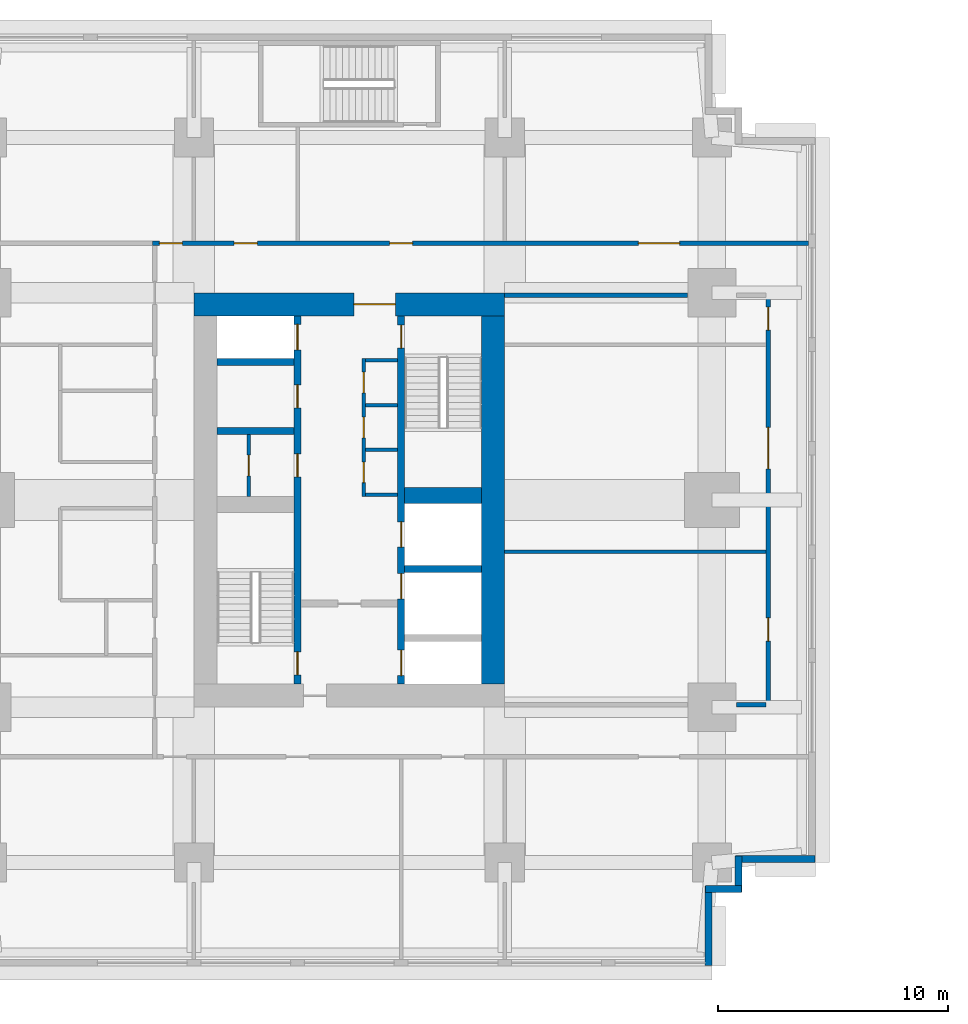
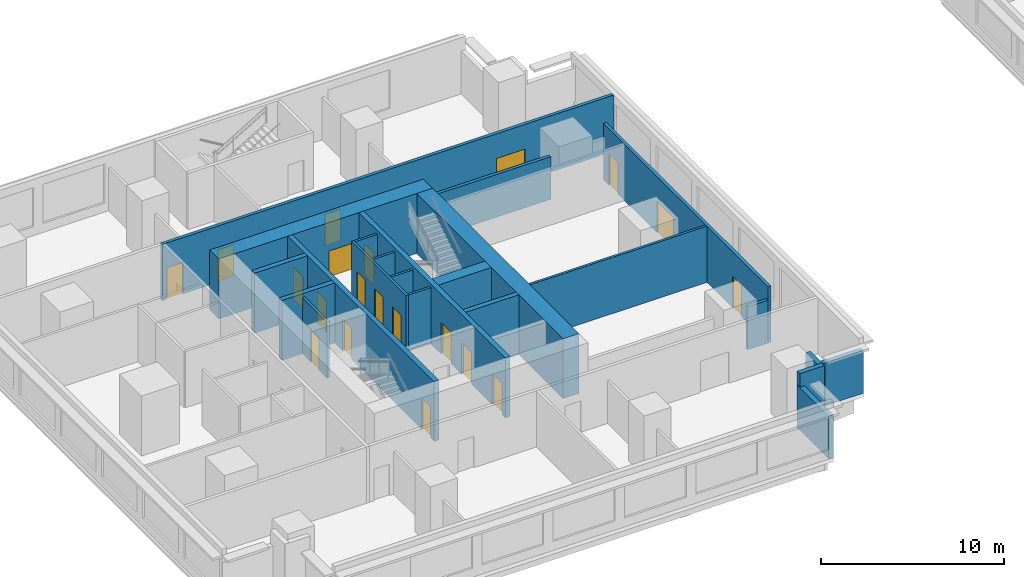
# One storey, part 4 of 10: 23 walls, 20 doors, 20 openings.
"""IFC4 building model written with IfcOpenShell, lengths in metres."""

from ifc_helpers import new_model, si_unit, direction, frame, frame_2d, origin, place, context, subcontext, project, spatial, rectangle, extrude, material, layer, layer_set, type_object, element, fill, save


model = new_model("IFC4")

# Units and contexts
model_context = context("Model", 3, precision=1e-05, world=origin(), true_north=direction((0.0, 1.0)))
body_context = subcontext(model_context, "Body", "Model", "MODEL_VIEW")
ifc_project = project(units=[si_unit("LENGTHUNIT", "METRE"), si_unit("AREAUNIT", "SQUARE_METRE"), si_unit("VOLUMEUNIT", "CUBIC_METRE"), si_unit("PLANEANGLEUNIT", "RADIAN"), si_unit("MASSUNIT", "GRAM", prefix="KILO")], contexts=[model_context])

# Site, building, storey
site_placement = place(None, origin())
site = spatial("IfcSite", under=ifc_project, at=site_placement, CompositionType="ELEMENT")
building_placement = place(site_placement, origin())
building = spatial("IfcBuilding", under=site, at=building_placement, Name="Namib Vertical Campus", CompositionType="ELEMENT")
storey_placement = place(building_placement, frame((0.0, 0.0, 141.0)))
storey = spatial("IfcBuildingStorey", under=building, at=storey_placement, Name="L33", CompositionType="ELEMENT", Elevation=141.0)

# Wall, openings, doors
ifc_material_1 = material(Name="Concrete C60/75", Category="concrete")
ifc_layer_1 = layer(ifc_material_1, 0.300048828125)
ifc_layer_set_1 = layer_set([ifc_layer_1], Name="Concrete C60/75")
wall_type_1 = type_object("IfcWallType", Name="Core inner wall 300", PredefinedType="SHEAR", material=ifc_layer_set_1)
wall_1_placement = place(storey_placement, frame((18.0, 12.25, 0.0), z_axis=(0.0, 0.0, 1.0), x_axis=(0.0, 1.0, 0.0)))
wall_1 = element("IfcWall", 1, at=wall_1_placement, inside=storey, type_object=wall_type_1, Name="Core inner wall A L33 W1", PredefinedType="SHEAR", context=body_context, shape_type="SweptSolid", body=[
    extrude(rectangle(XDim=16.0, YDim=0.300048828125, at=frame_2d((8.0, 0.0))), origin(), (0.0, 0.0, 1.0), 4.0),
])
opening_1_placement = place(wall_1_placement, frame((0.39990234375, 0.0, 0.0)))
opening_1 = element("IfcOpeningElement", 2, at=opening_1_placement, cuts=wall_1, Name="Opening FD1", PredefinedType="OPENING", context=body_context, shape_type="SweptSolid", body=[
    extrude(rectangle(XDim=1.0, YDim=2.10009765625, at=frame_2d((0.5, 1.050048828125))), frame((0.0, 0.159912109375, 0.0), z_axis=(0.0, -1.0, 0.0), x_axis=(1.0, 0.0, 0.0)), (0.0, 0.0, 1.0), 0.320068359375),
])
opening_2_placement = place(wall_1_placement, frame((14.52490234375, 0.0, 0.0)))
opening_2 = element("IfcOpeningElement", 3, at=opening_2_placement, cuts=wall_1, Name="Opening LD1", PredefinedType="OPENING", context=body_context, shape_type="SweptSolid", body=[
    extrude(rectangle(XDim=1.10009765625, YDim=2.10009765625, at=frame_2d((0.550048828125, 1.050048828125))), frame((0.0, 0.159912109375, 0.0), z_axis=(0.0, -1.0, 0.0), x_axis=(1.0, 0.0, 0.0)), (0.0, 0.0, 1.0), 0.320068359375),
])
opening_3_placement = place(wall_1_placement, frame((9.0, 0.0, 0.0)))
opening_3 = element("IfcOpeningElement", 4, at=opening_3_placement, cuts=wall_1, Name="Opening D1", PredefinedType="OPENING", context=body_context, shape_type="SweptSolid", body=[
    extrude(rectangle(XDim=1.0, YDim=2.10009765625, at=frame_2d((0.5, 1.050048828125))), frame((0.0, 0.159912109375, 0.0), z_axis=(0.0, -1.0, 0.0), x_axis=(1.0, 0.0, 0.0)), (0.0, 0.0, 1.0), 0.320068359375),
])
opening_4_placement = place(wall_1_placement, frame((12.0, 0.0, 0.0)))
opening_4 = element("IfcOpeningElement", 5, at=opening_4_placement, cuts=wall_1, Name="Opening D1", PredefinedType="OPENING", context=body_context, shape_type="SweptSolid", body=[
    extrude(rectangle(XDim=1.0, YDim=2.10009765625, at=frame_2d((0.5, 1.050048828125))), frame((0.0, 0.159912109375, 0.0), z_axis=(0.0, -1.0, 0.0), x_axis=(1.0, 0.0, 0.0)), (0.0, 0.0, 1.0), 0.320068359375),
])
ifc_material_2 = material(Name="Timber door leaf", Category="wood")
door_type_1 = type_object("IfcDoorType", Name="Door single 1000x2100", OperationType="SINGLE_SWING_LEFT", PredefinedType="DOOR", material=ifc_material_2)
door_1_placement = place(opening_3_placement, origin())
door_1 = element("IfcDoor", 6, at=door_1_placement, inside=storey, type_object=door_type_1, Name="Door D1 Records store A L33 P1", OperationType="SINGLE_SWING_LEFT", OverallHeight=2.10009765625, OverallWidth=1.0, PredefinedType="DOOR", context=body_context, shape_type="SweptSolid", body=[
    extrude(rectangle(XDim=1.0, YDim=2.10009765625, at=frame_2d((0.5, 1.050048828125))), frame((0.0, 0.02490234375, 0.0), z_axis=(0.0, -1.0, 0.0), x_axis=(1.0, 0.0, 0.0)), (0.0, 0.0, 1.0), 0.050048828125),
])
fill(opening_3, door_1)
door_2_placement = place(opening_4_placement, origin())
door_2 = element("IfcDoor", 7, at=door_2_placement, inside=storey, type_object=door_type_1, Name="Door D1 Staff pantry A L33 P2", OperationType="SINGLE_SWING_LEFT", OverallHeight=2.10009765625, OverallWidth=1.0, PredefinedType="DOOR", context=body_context, shape_type="SweptSolid", body=[
    extrude(rectangle(XDim=1.0, YDim=2.10009765625, at=frame_2d((0.5, 1.050048828125))), frame((0.0, 0.02490234375, 0.0), z_axis=(0.0, -1.0, 0.0), x_axis=(1.0, 0.0, 0.0)), (0.0, 0.0, 1.0), 0.050048828125),
])
fill(opening_4, door_2)
ifc_material_3 = material(Name="Steel fire door", Category="steel")
door_type_2 = type_object("IfcDoorType", Name="Fire door 1000x2100", OperationType="SINGLE_SWING_RIGHT", PredefinedType="DOOR", material=ifc_material_3)
door_3_placement = place(opening_1_placement, origin())
door_3 = element("IfcDoor", 8, at=door_3_placement, inside=storey, type_object=door_type_2, Name="Stair door FD1 A L33 S1", OperationType="SINGLE_SWING_LEFT", OverallHeight=2.10009765625, OverallWidth=1.0, PredefinedType="DOOR", context=body_context, shape_type="SweptSolid", body=[
    extrude(rectangle(XDim=1.0, YDim=2.10009765625, at=frame_2d((0.5, 1.050048828125))), frame((0.0, 0.02490234375, 0.0), z_axis=(0.0, -1.0, 0.0), x_axis=(1.0, 0.0, 0.0)), (0.0, 0.0, 1.0), 0.050048828125),
])
fill(opening_1, door_3)
ifc_material_4 = material(Name="Stainless steel lift door", Category="steel")
door_type_3 = type_object("IfcDoorType", Name="Lift landing door 1100x2100", OperationType="DOUBLE_DOOR_SLIDING", PredefinedType="DOOR", material=ifc_material_4)
door_4_placement = place(opening_2_placement, origin())
door_4 = element("IfcDoor", 9, at=door_4_placement, inside=storey, type_object=door_type_3, Name="Lift landing door LD1 A-P3 L33", OperationType="DOUBLE_DOOR_SLIDING", OverallHeight=2.10009765625, OverallWidth=1.10009765625, PredefinedType="DOOR", context=body_context, shape_type="SweptSolid", body=[
    extrude(rectangle(XDim=1.10009765625, YDim=2.10009765625, at=frame_2d((0.550048828125, 1.050048828125))), frame((0.0, 0.02490234375, 0.0), z_axis=(0.0, -1.0, 0.0), x_axis=(1.0, 0.0, 0.0)), (0.0, 0.0, 1.0), 0.050048828125),
])
fill(opening_2, door_4)

wall_2_placement = place(storey_placement, frame((22.5, 12.25, 0.0), z_axis=(0.0, 0.0, 1.0), x_axis=(0.0, 1.0, 0.0)))
wall_2 = element("IfcWall", 10, at=wall_2_placement, inside=storey, type_object=wall_type_1, Name="Core inner wall A L33 W2", PredefinedType="SHEAR", context=body_context, shape_type="SweptSolid", body=[
    extrude(rectangle(XDim=16.0, YDim=0.300048828125, at=frame_2d((8.0, 0.0))), origin(), (0.0, 0.0, 1.0), 4.0),
])
opening_5_placement = place(wall_2_placement, frame((14.60009765625, 0.0, 0.0)))
opening_5 = element("IfcOpeningElement", 11, at=opening_5_placement, cuts=wall_2, Name="Opening FD1", PredefinedType="OPENING", context=body_context, shape_type="SweptSolid", body=[
    extrude(rectangle(XDim=1.0, YDim=2.10009765625, at=frame_2d((0.5, 1.050048828125))), frame((0.0, 0.159912109375, 0.0), z_axis=(0.0, -1.0, 0.0), x_axis=(1.0, 0.0, 0.0)), (0.0, 0.0, 1.0), 0.320068359375),
])
opening_6_placement = place(wall_2_placement, frame((0.375, 0.0, 0.0)))
opening_6 = element("IfcOpeningElement", 12, at=opening_6_placement, cuts=wall_2, Name="Opening LD1", PredefinedType="OPENING", context=body_context, shape_type="SweptSolid", body=[
    extrude(rectangle(XDim=1.10009765625, YDim=2.10009765625, at=frame_2d((0.550048828125, 1.050048828125))), frame((0.0, 0.159912109375, 0.0), z_axis=(0.0, -1.0, 0.0), x_axis=(1.0, 0.0, 0.0)), (0.0, 0.0, 1.0), 0.320068359375),
])
opening_7_placement = place(wall_2_placement, frame((3.699951171875, 0.0, 0.0)))
opening_7 = element("IfcOpeningElement", 13, at=opening_7_placement, cuts=wall_2, Name="Opening LD1", PredefinedType="OPENING", context=body_context, shape_type="SweptSolid", body=[
    extrude(rectangle(XDim=1.10009765625, YDim=2.10009765625, at=frame_2d((0.550048828125, 1.050048828125))), frame((0.0, 0.159912109375, 0.0), z_axis=(0.0, -1.0, 0.0), x_axis=(1.0, 0.0, 0.0)), (0.0, 0.0, 1.0), 0.320068359375),
])
opening_8_placement = place(wall_2_placement, frame((5.949951171875, 0.0, 0.0)))
opening_8 = element("IfcOpeningElement", 14, at=opening_8_placement, cuts=wall_2, Name="Opening LD1", PredefinedType="OPENING", context=body_context, shape_type="SweptSolid", body=[
    extrude(rectangle(XDim=1.10009765625, YDim=2.10009765625, at=frame_2d((0.550048828125, 1.050048828125))), frame((0.0, 0.159912109375, 0.0), z_axis=(0.0, -1.0, 0.0), x_axis=(1.0, 0.0, 0.0)), (0.0, 0.0, 1.0), 0.320068359375),
])
door_5_placement = place(opening_5_placement, frame((1.0, 0.0, 0.0), z_axis=(0.0, 0.0, 1.0), x_axis=(-1.0, 0.0, 0.0)))
door_5 = element("IfcDoor", 15, at=door_5_placement, inside=storey, type_object=door_type_2, Name="Stair door FD1 A L33 S2", OperationType="SINGLE_SWING_LEFT", OverallHeight=2.10009765625, OverallWidth=1.0, PredefinedType="DOOR", context=body_context, shape_type="SweptSolid", body=[
    extrude(rectangle(XDim=1.0, YDim=2.10009765625, at=frame_2d((0.5, 1.050048828125))), frame((0.0, 0.02490234375, 0.0), z_axis=(0.0, -1.0, 0.0), x_axis=(1.0, 0.0, 0.0)), (0.0, 0.0, 1.0), 0.050048828125),
])
fill(opening_5, door_5)
door_6_placement = place(opening_6_placement, origin())
door_6 = element("IfcDoor", 16, at=door_6_placement, inside=storey, type_object=door_type_3, Name="Lift landing door LD1 A-FL1 L33", OperationType="DOUBLE_DOOR_SLIDING", OverallHeight=2.10009765625, OverallWidth=1.10009765625, PredefinedType="DOOR", context=body_context, shape_type="SweptSolid", body=[
    extrude(rectangle(XDim=1.10009765625, YDim=2.10009765625, at=frame_2d((0.550048828125, 1.050048828125))), frame((0.0, 0.02490234375, 0.0), z_axis=(0.0, -1.0, 0.0), x_axis=(1.0, 0.0, 0.0)), (0.0, 0.0, 1.0), 0.050048828125),
])
fill(opening_6, door_6)
door_7_placement = place(opening_7_placement, origin())
door_7 = element("IfcDoor", 17, at=door_7_placement, inside=storey, type_object=door_type_3, Name="Lift landing door LD1 A-P4 L33", OperationType="DOUBLE_DOOR_SLIDING", OverallHeight=2.10009765625, OverallWidth=1.10009765625, PredefinedType="DOOR", context=body_context, shape_type="SweptSolid", body=[
    extrude(rectangle(XDim=1.10009765625, YDim=2.10009765625, at=frame_2d((0.550048828125, 1.050048828125))), frame((0.0, 0.02490234375, 0.0), z_axis=(0.0, -1.0, 0.0), x_axis=(1.0, 0.0, 0.0)), (0.0, 0.0, 1.0), 0.050048828125),
])
fill(opening_7, door_7)
door_8_placement = place(opening_8_placement, origin())
door_8 = element("IfcDoor", 18, at=door_8_placement, inside=storey, type_object=door_type_3, Name="Lift landing door LD1 A-P5 L33", OperationType="DOUBLE_DOOR_SLIDING", OverallHeight=2.10009765625, OverallWidth=1.10009765625, PredefinedType="DOOR", context=body_context, shape_type="SweptSolid", body=[
    extrude(rectangle(XDim=1.10009765625, YDim=2.10009765625, at=frame_2d((0.550048828125, 1.050048828125))), frame((0.0, 0.02490234375, 0.0), z_axis=(0.0, -1.0, 0.0), x_axis=(1.0, 0.0, 0.0)), (0.0, 0.0, 1.0), 0.050048828125),
])
fill(opening_8, door_8)

# Walls
for number, where, z_axis, x_axis, name in (
    (19, (22.64990234375, 17.25, 0.0), (0.0, 0.0, 1.0), (1.0, 0.0, 0.0), "Core inner wall A L33 W6"),
    (20, (14.5, 23.25, 0.0), (0.0, 0.0, 1.0), (1.0, 0.0, 0.0), "Core inner wall A L33 W8"),
    (21, (14.5, 26.25, 0.0), (0.0, 0.0, 1.0), (1.0, 0.0, 0.0), "Core inner wall A L33 W9"),
):
    element("IfcWall", number, at=place(storey_placement, frame(where, z_axis=z_axis, x_axis=x_axis)), inside=storey, type_object=wall_type_1, Name=name, PredefinedType="SHEAR", context=body_context, shape_type="SweptSolid", body=[
        extrude(rectangle(XDim=3.35009765625, YDim=0.300048828125, at=frame_2d((1.675048828125, 0.0))), origin(), (0.0, 0.0, 1.0), 4.0),
    ])
ifc_material_5 = material(Name="Concrete C60/75", Category="concrete")
ifc_layer_2 = layer(ifc_material_5, 0.699951171875)
ifc_layer_set_2 = layer_set([ifc_layer_2], Name="Concrete C60/75")
wall_type_2 = type_object("IfcWallType", Name="Core shear wall 700", PredefinedType="SHEAR", material=ifc_layer_set_2)
wall_3_placement = place(storey_placement, frame((22.64990234375, 20.449951171875, 0.0), z_axis=(0.0, 0.0, 1.0), x_axis=(1.0, 0.0, 0.0)))
element("IfcWall", 22, at=wall_3_placement, inside=storey, type_object=wall_type_2, Name="Core shear wall A L33 W7", PredefinedType="SHEAR", context=body_context, shape_type="SweptSolid", body=[
    extrude(rectangle(XDim=3.35009765625, YDim=0.699951171875, at=frame_2d((1.675048828125, 0.0))), origin(), (0.0, 0.0, 1.0), 4.0),
])
ifc_material_6 = material(Name="Concrete C60/75", Category="concrete")
ifc_layer_3 = layer(ifc_material_6, 1.0)
ifc_layer_set_3 = layer_set([ifc_layer_3], Name="Concrete C60/75")
wall_type_3 = type_object("IfcWallType", Name="Core wall 1000", PredefinedType="SHEAR", material=ifc_layer_set_3)
wall_4_placement = place(storey_placement, frame((26.5, 12.25, 0.0), z_axis=(0.0, 0.0, 1.0), x_axis=(0.0, 1.0, 0.0)))
element("IfcWall", 23, at=wall_4_placement, inside=storey, type_object=wall_type_3, Name="Core wall A L33 2", PredefinedType="SHEAR", context=body_context, shape_type="SweptSolid", body=[
    extrude(rectangle(XDim=16.0, YDim=1.0, at=frame_2d((8.0, 0.0))), origin(), (0.0, 0.0, 1.0), 4.0),
])

# Wall, opening, door
wall_5_placement = place(storey_placement, frame((27.0, 28.75, 0.0), z_axis=(0.0, 0.0, 1.0), x_axis=(-1.0, 0.0, 0.0)))
wall_5 = element("IfcWall", 24, at=wall_5_placement, inside=storey, type_object=wall_type_3, Name="Core wall A L33 3", PredefinedType="SHEAR", context=body_context, shape_type="SweptSolid", body=[
    extrude(rectangle(XDim=13.5, YDim=1.0, at=frame_2d((6.75, 0.0))), origin(), (0.0, 0.0, 1.0), 4.0),
])
opening_9_placement = place(wall_5_placement, frame((4.75, 0.0, 0.0)))
opening_9 = element("IfcOpeningElement", 25, at=opening_9_placement, cuts=wall_5, Name="Opening FD2", PredefinedType="OPENING", context=body_context, shape_type="SweptSolid", body=[
    extrude(rectangle(XDim=1.800048828125, YDim=2.10009765625, at=frame_2d((0.89990234375, 1.050048828125))), frame((0.0, 0.510009765625, 0.0), z_axis=(0.0, -1.0, 0.0), x_axis=(1.0, 0.0, 0.0)), (0.0, 0.0, 1.0), 1.02001953125),
])
ifc_material_7 = material(Name="Steel fire door", Category="steel")
door_type_4 = type_object("IfcDoorType", Name="Fire door double 1800x2100", OperationType="DOUBLE_DOOR_SINGLE_SWING", PredefinedType="DOOR", material=ifc_material_7)
door_9_placement = place(opening_9_placement, origin())
door_9 = element("IfcDoor", 26, at=door_9_placement, inside=storey, type_object=door_type_4, Name="Lift lobby door FD2 A L33", OperationType="DOUBLE_DOOR_SINGLE_SWING", OverallHeight=2.10009765625, OverallWidth=1.800048828125, PredefinedType="DOOR", context=body_context, shape_type="SweptSolid", body=[
    extrude(rectangle(XDim=1.800048828125, YDim=2.10009765625, at=frame_2d((0.89990234375, 1.050048828125))), frame((0.0, 0.02490234375, 0.0), z_axis=(0.0, -1.0, 0.0), x_axis=(1.0, 0.0, 0.0)), (0.0, 0.0, 1.0), 0.050048828125),
])
fill(opening_9, door_9)

# Wall, openings, doors
ifc_material_8 = material(Name="Concrete masonry", Category="masonry")
ifc_layer_4 = layer(ifc_material_8, 0.199951171875)
ifc_layer_set_4 = layer_set([ifc_layer_4], Name="Corridor wall 200")
wall_type_4 = type_object("IfcWallType", Name="Corridor wall 200", PredefinedType="SOLIDWALL", material=ifc_layer_set_4)
wall_6_placement = place(storey_placement, frame((40.199951171875, 31.39990234375, 0.0), z_axis=(0.0, 0.0, 1.0), x_axis=(-1.0, 0.0, 0.0)))
wall_6 = element("IfcWall", 27, at=wall_6_placement, inside=storey, type_object=wall_type_4, Name="Corridor wall A L33 CN", PredefinedType="SOLIDWALL", context=body_context, shape_type="SweptSolid", body=[
    extrude(rectangle(XDim=28.5, YDim=0.199951171875, at=frame_2d((14.25, 0.0))), origin(), (0.0, 0.0, 1.0), 3.75),
])
opening_10_placement = place(wall_6_placement, frame((27.199951171875, 0.0, 0.0)))
opening_10 = element("IfcOpeningElement", 28, at=opening_10_placement, cuts=wall_6, Name="Opening CD1", PredefinedType="OPENING", context=body_context, shape_type="SweptSolid", body=[
    extrude(rectangle(XDim=1.0, YDim=2.10009765625, at=frame_2d((0.5, 1.050048828125))), frame((0.0, 0.10986328125, 0.0), z_axis=(0.0, -1.0, 0.0), x_axis=(1.0, 0.0, 0.0)), (0.0, 0.0, 1.0), 0.219970703125),
])
opening_11_placement = place(wall_6_placement, frame((23.949951171875, 0.0, 0.0)))
opening_11 = element("IfcOpeningElement", 29, at=opening_11_placement, cuts=wall_6, Name="Opening CD1", PredefinedType="OPENING", context=body_context, shape_type="SweptSolid", body=[
    extrude(rectangle(XDim=1.0, YDim=2.10009765625, at=frame_2d((0.5, 1.050048828125))), frame((0.0, 0.10986328125, 0.0), z_axis=(0.0, -1.0, 0.0), x_axis=(1.0, 0.0, 0.0)), (0.0, 0.0, 1.0), 0.219970703125),
])
opening_12_placement = place(wall_6_placement, frame((17.199951171875, 0.0, 0.0)))
opening_12 = element("IfcOpeningElement", 30, at=opening_12_placement, cuts=wall_6, Name="Opening CD4", PredefinedType="OPENING", context=body_context, shape_type="SweptSolid", body=[
    extrude(rectangle(XDim=1.0, YDim=2.10009765625, at=frame_2d((0.5, 1.050048828125))), frame((0.0, 0.10986328125, 0.0), z_axis=(0.0, -1.0, 0.0), x_axis=(1.0, 0.0, 0.0)), (0.0, 0.0, 1.0), 0.219970703125),
])
opening_13_placement = place(wall_6_placement, frame((5.60009765625, 0.0, 0.0)))
opening_13 = element("IfcOpeningElement", 31, at=opening_13_placement, cuts=wall_6, Name="Opening CD2", PredefinedType="OPENING", context=body_context, shape_type="SweptSolid", body=[
    extrude(rectangle(XDim=1.800048828125, YDim=2.10009765625, at=frame_2d((0.89990234375, 1.050048828125))), frame((0.0, 0.10986328125, 0.0), z_axis=(0.0, -1.0, 0.0), x_axis=(1.0, 0.0, 0.0)), (0.0, 0.0, 1.0), 0.219970703125),
])
ifc_material_9 = material(Name="Timber fire door leaf", Category="wood")
door_type_5 = type_object("IfcDoorType", Name="Corridor door 1000x2100 20 min", OperationType="SINGLE_SWING_LEFT", PredefinedType="DOOR", material=ifc_material_9)
door_10_placement = place(opening_10_placement, frame((1.0, 0.0, 0.0), z_axis=(0.0, 0.0, 1.0), x_axis=(-1.0, 0.0, 0.0)))
door_10 = element("IfcDoor", 32, at=door_10_placement, inside=storey, type_object=door_type_5, Name="Door CD1 A33-08", OperationType="SINGLE_SWING_RIGHT", OverallHeight=2.10009765625, OverallWidth=1.0, PredefinedType="DOOR", context=body_context, shape_type="SweptSolid", body=[
    extrude(rectangle(XDim=1.0, YDim=2.10009765625, at=frame_2d((0.5, 1.050048828125))), frame((0.0, 0.02490234375, 0.0), z_axis=(0.0, -1.0, 0.0), x_axis=(1.0, 0.0, 0.0)), (0.0, 0.0, 1.0), 0.050048828125),
])
fill(opening_10, door_10)
door_11_placement = place(opening_11_placement, frame((1.0, 0.0, 0.0), z_axis=(0.0, 0.0, 1.0), x_axis=(-1.0, 0.0, 0.0)))
door_11 = element("IfcDoor", 33, at=door_11_placement, inside=storey, type_object=door_type_5, Name="Door CD1 A33-09", OperationType="SINGLE_SWING_RIGHT", OverallHeight=2.10009765625, OverallWidth=1.0, PredefinedType="DOOR", context=body_context, shape_type="SweptSolid", body=[
    extrude(rectangle(XDim=1.0, YDim=2.10009765625, at=frame_2d((0.5, 1.050048828125))), frame((0.0, 0.02490234375, 0.0), z_axis=(0.0, -1.0, 0.0), x_axis=(1.0, 0.0, 0.0)), (0.0, 0.0, 1.0), 0.050048828125),
])
fill(opening_11, door_11)
ifc_material_10 = material(Name="Timber fire door leaf", Category="wood")
door_type_6 = type_object("IfcDoorType", Name="Corridor door 1000x2100 20 min double-acting", OperationType="DOUBLE_SWING_LEFT", PredefinedType="DOOR", material=ifc_material_10)
door_12_placement = place(opening_12_placement, origin())
door_12 = element("IfcDoor", 34, at=door_12_placement, inside=storey, type_object=door_type_6, Name="Door CD4 A33-10", OperationType="DOUBLE_SWING_LEFT", OverallHeight=2.10009765625, OverallWidth=1.0, PredefinedType="DOOR", context=body_context, shape_type="SweptSolid", body=[
    extrude(rectangle(XDim=1.0, YDim=2.10009765625, at=frame_2d((0.5, 1.050048828125))), frame((0.0, 0.02490234375, 0.0), z_axis=(0.0, -1.0, 0.0), x_axis=(1.0, 0.0, 0.0)), (0.0, 0.0, 1.0), 0.050048828125),
])
fill(opening_12, door_12)
ifc_material_11 = material(Name="Timber fire door leaf", Category="wood")
door_type_7 = type_object("IfcDoorType", Name="Corridor door double 1800x2100 20 min", OperationType="DOUBLE_DOOR_SINGLE_SWING", PredefinedType="DOOR", material=ifc_material_11)
door_13_placement = place(opening_13_placement, frame((1.800048828125, 0.0, 0.0), z_axis=(0.0, 0.0, 1.0), x_axis=(-1.0, 0.0, 0.0)))
door_13 = element("IfcDoor", 35, at=door_13_placement, inside=storey, type_object=door_type_7, Name="Door CD2 A33-11", OperationType="DOUBLE_DOOR_SINGLE_SWING", OverallHeight=2.10009765625, OverallWidth=1.800048828125, PredefinedType="DOOR", context=body_context, shape_type="SweptSolid", body=[
    extrude(rectangle(XDim=1.800048828125, YDim=2.10009765625, at=frame_2d((0.89990234375, 1.050048828125))), frame((0.0, 0.02490234375, 0.0), z_axis=(0.0, -1.0, 0.0), x_axis=(1.0, 0.0, 0.0)), (0.0, 0.0, 1.0), 0.050048828125),
])
fill(opening_13, door_13)

wall_7_placement = place(storey_placement, frame((38.449951171875, 11.25, 0.0), z_axis=(0.0, 0.0, 1.0), x_axis=(0.0, 1.0, 0.0)))
wall_7 = element("IfcWall", 36, at=wall_7_placement, inside=storey, type_object=wall_type_4, Name="Corridor wall A L33 CG", PredefinedType="SOLIDWALL", context=body_context, shape_type="SweptSolid", body=[
    extrude(rectangle(XDim=18.0, YDim=0.199951171875, at=frame_2d((9.0, 0.0))), origin(), (0.0, 0.0, 1.0), 3.75),
])
opening_14_placement = place(wall_7_placement, frame((2.875, 0.0, 0.0)))
opening_14 = element("IfcOpeningElement", 37, at=opening_14_placement, cuts=wall_7, Name="Opening CD1", PredefinedType="OPENING", context=body_context, shape_type="SweptSolid", body=[
    extrude(rectangle(XDim=1.0, YDim=2.10009765625, at=frame_2d((0.5, 1.050048828125))), frame((0.0, 0.10986328125, 0.0), z_axis=(0.0, -1.0, 0.0), x_axis=(1.0, 0.0, 0.0)), (0.0, 0.0, 1.0), 0.219970703125),
])
opening_15_placement = place(wall_7_placement, frame((10.35009765625, 0.0, 0.0)))
opening_15 = element("IfcOpeningElement", 38, at=opening_15_placement, cuts=wall_7, Name="Opening CD2", PredefinedType="OPENING", context=body_context, shape_type="SweptSolid", body=[
    extrude(rectangle(XDim=1.800048828125, YDim=2.10009765625, at=frame_2d((0.89990234375, 1.050048828125))), frame((0.0, 0.10986328125, 0.0), z_axis=(0.0, -1.0, 0.0), x_axis=(1.0, 0.0, 0.0)), (0.0, 0.0, 1.0), 0.219970703125),
])
opening_16_placement = place(wall_7_placement, frame((16.375, 0.0, 0.0)))
opening_16 = element("IfcOpeningElement", 39, at=opening_16_placement, cuts=wall_7, Name="Opening CD1", PredefinedType="OPENING", context=body_context, shape_type="SweptSolid", body=[
    extrude(rectangle(XDim=1.0, YDim=2.10009765625, at=frame_2d((0.5, 1.050048828125))), frame((0.0, 0.10986328125, 0.0), z_axis=(0.0, -1.0, 0.0), x_axis=(1.0, 0.0, 0.0)), (0.0, 0.0, 1.0), 0.219970703125),
])
door_14_placement = place(opening_14_placement, origin())
door_14 = element("IfcDoor", 40, at=door_14_placement, inside=storey, type_object=door_type_5, Name="Door CD1 A33-05", OperationType="SINGLE_SWING_LEFT", OverallHeight=2.10009765625, OverallWidth=1.0, PredefinedType="DOOR", context=body_context, shape_type="SweptSolid", body=[
    extrude(rectangle(XDim=1.0, YDim=2.10009765625, at=frame_2d((0.5, 1.050048828125))), frame((0.0, 0.02490234375, 0.0), z_axis=(0.0, -1.0, 0.0), x_axis=(1.0, 0.0, 0.0)), (0.0, 0.0, 1.0), 0.050048828125),
])
fill(opening_14, door_14)
door_15_placement = place(opening_16_placement, origin())
door_15 = element("IfcDoor", 41, at=door_15_placement, inside=storey, type_object=door_type_5, Name="Door CD1 A33-07", OperationType="SINGLE_SWING_LEFT", OverallHeight=2.10009765625, OverallWidth=1.0, PredefinedType="DOOR", context=body_context, shape_type="SweptSolid", body=[
    extrude(rectangle(XDim=1.0, YDim=2.10009765625, at=frame_2d((0.5, 1.050048828125))), frame((0.0, 0.02490234375, 0.0), z_axis=(0.0, -1.0, 0.0), x_axis=(1.0, 0.0, 0.0)), (0.0, 0.0, 1.0), 0.050048828125),
])
fill(opening_16, door_15)
door_16_placement = place(opening_15_placement, origin())
door_16 = element("IfcDoor", 42, at=door_16_placement, inside=storey, type_object=door_type_7, Name="Door CD2 A33-06", OperationType="DOUBLE_DOOR_SINGLE_SWING", OverallHeight=2.10009765625, OverallWidth=1.800048828125, PredefinedType="DOOR", context=body_context, shape_type="SweptSolid", body=[
    extrude(rectangle(XDim=1.800048828125, YDim=2.10009765625, at=frame_2d((0.89990234375, 1.050048828125))), frame((0.0, 0.02490234375, 0.0), z_axis=(0.0, -1.0, 0.0), x_axis=(1.0, 0.0, 0.0)), (0.0, 0.0, 1.0), 0.050048828125),
])
fill(opening_15, door_16)

# Walls
wall_8_placement = place(storey_placement, frame((37.070068359375, 11.35009765625, 0.0), z_axis=(0.0, 0.0, 1.0), x_axis=(1.0, 0.0, 0.0)))
element("IfcWall", 43, at=wall_8_placement, inside=storey, type_object=wall_type_4, Name="Corridor wall A L33 GS", PredefinedType="SOLIDWALL", context=body_context, shape_type="SweptSolid", body=[
    extrude(rectangle(XDim=1.280029296875, YDim=0.199951171875, at=frame_2d((0.64013671875, 0.0))), origin(), (0.0, 0.0, 1.0), 2.85009765625),
])
wall_9_placement = place(storey_placement, frame((27.0, 29.14990234375, 0.0), z_axis=(0.0, 0.0, 1.0), x_axis=(1.0, 0.0, 0.0)))
element("IfcWall", 44, at=wall_9_placement, inside=storey, type_object=wall_type_4, Name="Corridor wall A L33 GN", PredefinedType="SOLIDWALL", context=body_context, shape_type="SweptSolid", body=[
    extrude(rectangle(XDim=7.929931640625, YDim=0.199951171875, at=frame_2d((3.96484375, 0.0))), origin(), (0.0, 0.0, 1.0), 2.85009765625),
])
ifc_material_12 = material(Name="Concrete C40/50", Category="concrete")
ifc_layer_5 = layer(ifc_material_12, 0.300048828125)
ifc_layer_set_5 = layer_set([ifc_layer_5], Name="Concrete C40/50")
wall_type_5 = type_object("IfcWallType", Name="External wall 300 board-marked concrete", PredefinedType="STANDARD", material=ifc_layer_set_5)
wall_10_placement = place(storey_placement, frame((35.85009765625, 0.02001953125, 0.0), z_axis=(0.0, 0.0, 1.0), x_axis=(0.0, 1.0, 0.0)))
element("IfcWall", 45, at=wall_10_placement, inside=storey, type_object=wall_type_5, Name="External wall L33 F02", PredefinedType="STANDARD", context=body_context, shape_type="SweptSolid", body=[
    extrude(rectangle(XDim=3.4599609375, YDim=0.300048828125, at=frame_2d((1.72998046875, 0.0))), origin(), (0.0, 0.0, 1.0), 2.85009765625),
])
for number, where, z_axis, x_axis, name in (
    (46, (35.719970703125, 3.35009765625, 0.0), (0.0, 0.0, 1.0), (1.0, 0.0, 0.0), "External wall L33 F03"),
    (47, (37.14990234375, 3.219970703125, 0.0), (0.0, 0.0, 1.0), (0.0, 1.0, 0.0), "External wall L33 F04"),
):
    element("IfcWall", number, at=place(storey_placement, frame(where, z_axis=z_axis, x_axis=x_axis)), inside=storey, type_object=wall_type_5, Name=name, PredefinedType="STANDARD", context=body_context, shape_type="SweptSolid", body=[
        extrude(rectangle(XDim=1.56005859375, YDim=0.300048828125, at=frame_2d((0.780029296875, 0.0))), origin(), (0.0, 0.0, 1.0), 3.75),
    ])
wall_11_placement = place(storey_placement, frame((37.02001953125, 4.64990234375, 0.0), z_axis=(0.0, 0.0, 1.0), x_axis=(1.0, 0.0, 0.0)))
element("IfcWall", 48, at=wall_11_placement, inside=storey, type_object=wall_type_5, Name="External wall L33 F05", PredefinedType="STANDARD", context=body_context, shape_type="SweptSolid", body=[
    extrude(rectangle(XDim=3.4599609375, YDim=0.300048828125, at=frame_2d((1.72998046875, 0.0))), origin(), (0.0, 0.0, 1.0), 2.85009765625),
])

# Wall, openings, doors
ifc_material_13 = material(Name="Gypsum board on steel studs", Category="steel")
ifc_layer_6 = layer(ifc_material_13, 0.14990234375)
ifc_layer_set_6 = layer_set([ifc_layer_6], Name="Gypsum board on steel studs")
wall_type_6 = type_object("IfcWallType", Name="Partition 150", PredefinedType="PARTITIONING", material=ifc_layer_set_6)
wall_12_placement = place(storey_placement, frame((20.875, 20.39990234375, 0.0), z_axis=(0.0, 0.0, 1.0), x_axis=(0.0, 1.0, 0.0)))
wall_12 = element("IfcWall", 49, at=wall_12_placement, inside=storey, type_object=wall_type_6, Name="Partition A L33 Records store and Cleaners' store and Linen store front", PredefinedType="PARTITIONING", context=body_context, shape_type="SweptSolid", body=[
    extrude(rectangle(XDim=6.0, YDim=0.14990234375, at=frame_2d((3.0, 0.0))), origin(), (0.0, 0.0, 1.0), 3.75),
])
opening_17_placement = place(wall_12_placement, frame((0.60009765625, 0.0, 0.0)))
opening_17 = element("IfcOpeningElement", 50, at=opening_17_placement, cuts=wall_12, Name="Opening D3", PredefinedType="OPENING", context=body_context, shape_type="SweptSolid", body=[
    extrude(rectangle(XDim=0.89990234375, YDim=2.10009765625, at=frame_2d((0.449951171875, 1.050048828125))), frame((0.0, 0.0849609375, 0.0), z_axis=(0.0, -1.0, 0.0), x_axis=(1.0, 0.0, 0.0)), (0.0, 0.0, 1.0), 0.169921875),
])
opening_18_placement = place(wall_12_placement, frame((2.550048828125, 0.0, 0.0)))
opening_18 = element("IfcOpeningElement", 51, at=opening_18_placement, cuts=wall_12, Name="Opening D3", PredefinedType="OPENING", context=body_context, shape_type="SweptSolid", body=[
    extrude(rectangle(XDim=0.89990234375, YDim=2.10009765625, at=frame_2d((0.449951171875, 1.050048828125))), frame((0.0, 0.0849609375, 0.0), z_axis=(0.0, -1.0, 0.0), x_axis=(1.0, 0.0, 0.0)), (0.0, 0.0, 1.0), 0.169921875),
])
opening_19_placement = place(wall_12_placement, frame((4.5, 0.0, 0.0)))
opening_19 = element("IfcOpeningElement", 52, at=opening_19_placement, cuts=wall_12, Name="Opening D3", PredefinedType="OPENING", context=body_context, shape_type="SweptSolid", body=[
    extrude(rectangle(XDim=0.89990234375, YDim=2.10009765625, at=frame_2d((0.449951171875, 1.050048828125))), frame((0.0, 0.0849609375, 0.0), z_axis=(0.0, -1.0, 0.0), x_axis=(1.0, 0.0, 0.0)), (0.0, 0.0, 1.0), 0.169921875),
])
ifc_material_14 = material(Name="Timber door leaf", Category="wood")
door_type_8 = type_object("IfcDoorType", Name="Toilet door 900x2100", OperationType="SINGLE_SWING_LEFT", PredefinedType="DOOR", material=ifc_material_14)
door_17_placement = place(opening_17_placement, frame((0.89990234375, 0.0, 0.0), z_axis=(0.0, 0.0, 1.0), x_axis=(-1.0, 0.0, 0.0)))
door_17 = element("IfcDoor", 53, at=door_17_placement, inside=storey, type_object=door_type_8, Name="Door D3 Records store A L33", OperationType="SINGLE_SWING_RIGHT", OverallHeight=2.10009765625, OverallWidth=0.89990234375, PredefinedType="DOOR", context=body_context, shape_type="SweptSolid", body=[
    extrude(rectangle(XDim=0.89990234375, YDim=2.10009765625, at=frame_2d((0.449951171875, 1.050048828125))), frame((0.0, 0.02490234375, 0.0), z_axis=(0.0, -1.0, 0.0), x_axis=(1.0, 0.0, 0.0)), (0.0, 0.0, 1.0), 0.050048828125),
])
fill(opening_17, door_17)
door_18_placement = place(opening_18_placement, frame((0.89990234375, 0.0, 0.0), z_axis=(0.0, 0.0, 1.0), x_axis=(-1.0, 0.0, 0.0)))
door_18 = element("IfcDoor", 54, at=door_18_placement, inside=storey, type_object=door_type_8, Name="Door D3 Cleaners' store A L33", OperationType="SINGLE_SWING_RIGHT", OverallHeight=2.10009765625, OverallWidth=0.89990234375, PredefinedType="DOOR", context=body_context, shape_type="SweptSolid", body=[
    extrude(rectangle(XDim=0.89990234375, YDim=2.10009765625, at=frame_2d((0.449951171875, 1.050048828125))), frame((0.0, 0.02490234375, 0.0), z_axis=(0.0, -1.0, 0.0), x_axis=(1.0, 0.0, 0.0)), (0.0, 0.0, 1.0), 0.050048828125),
])
fill(opening_18, door_18)
door_19_placement = place(opening_19_placement, frame((0.89990234375, 0.0, 0.0), z_axis=(0.0, 0.0, 1.0), x_axis=(-1.0, 0.0, 0.0)))
door_19 = element("IfcDoor", 55, at=door_19_placement, inside=storey, type_object=door_type_8, Name="Door D3 Linen store A L33", OperationType="SINGLE_SWING_RIGHT", OverallHeight=2.10009765625, OverallWidth=0.89990234375, PredefinedType="DOOR", context=body_context, shape_type="SweptSolid", body=[
    extrude(rectangle(XDim=0.89990234375, YDim=2.10009765625, at=frame_2d((0.449951171875, 1.050048828125))), frame((0.0, 0.02490234375, 0.0), z_axis=(0.0, -1.0, 0.0), x_axis=(1.0, 0.0, 0.0)), (0.0, 0.0, 1.0), 0.050048828125),
])
fill(opening_19, door_19)

# Walls
for number, where, z_axis, x_axis, name in (
    (56, (20.949951171875, 20.47509765625, 0.0), (0.0, 0.0, 1.0), (1.0, 0.0, 0.0), "Partition A L33 Records store and Cleaners' store and Linen store end 1"),
    (57, (20.949951171875, 22.425048828125, 0.0), (0.0, 0.0, 1.0), (1.0, 0.0, 0.0), "Partition A L33 Records store and Cleaners' store and Linen store division 2"),
    (58, (20.949951171875, 24.375, 0.0), (0.0, 0.0, 1.0), (1.0, 0.0, 0.0), "Partition A L33 Records store and Cleaners' store and Linen store division 3"),
    (59, (20.949951171875, 26.324951171875, 0.0), (0.0, 0.0, 1.0), (1.0, 0.0, 0.0), "Partition A L33 Records store and Cleaners' store and Linen store end 4"),
):
    element("IfcWall", number, at=place(storey_placement, frame(where, z_axis=z_axis, x_axis=x_axis)), inside=storey, type_object=wall_type_6, Name=name, PredefinedType="PARTITIONING", context=body_context, shape_type="SweptSolid", body=[
        extrude(rectangle(XDim=1.400146484375, YDim=0.14990234375, at=frame_2d((0.7001953125, 0.0))), origin(), (0.0, 0.0, 1.0), 3.75),
    ])

# Wall, opening, door
wall_13_placement = place(storey_placement, frame((15.875, 20.39990234375, 0.0), z_axis=(0.0, 0.0, 1.0), x_axis=(0.0, 1.0, 0.0)))
wall_13 = element("IfcWall", 60, at=wall_13_placement, inside=storey, type_object=wall_type_6, Name="Partition A L33 Records store P1 back", PredefinedType="PARTITIONING", context=body_context, shape_type="SweptSolid", body=[
    extrude(rectangle(XDim=2.7001953125, YDim=0.14990234375, at=frame_2d((1.35009765625, 0.0))), origin(), (0.0, 0.0, 1.0), 3.75),
])
opening_20_placement = place(wall_13_placement, frame((0.89990234375, 0.0, 0.0)))
opening_20 = element("IfcOpeningElement", 61, at=opening_20_placement, cuts=wall_13, Name="Opening D3", PredefinedType="OPENING", context=body_context, shape_type="SweptSolid", body=[
    extrude(rectangle(XDim=0.89990234375, YDim=2.10009765625, at=frame_2d((0.449951171875, 1.050048828125))), frame((0.0, 0.0849609375, 0.0), z_axis=(0.0, -1.0, 0.0), x_axis=(1.0, 0.0, 0.0)), (0.0, 0.0, 1.0), 0.169921875),
])
door_20_placement = place(opening_20_placement, origin())
door_20 = element("IfcDoor", 62, at=door_20_placement, inside=storey, type_object=door_type_8, Name="Door D3 Store A L33 P1", OperationType="SINGLE_SWING_LEFT", OverallHeight=2.10009765625, OverallWidth=0.89990234375, PredefinedType="DOOR", context=body_context, shape_type="SweptSolid", body=[
    extrude(rectangle(XDim=0.89990234375, YDim=2.10009765625, at=frame_2d((0.449951171875, 1.050048828125))), frame((0.0, 0.02490234375, 0.0), z_axis=(0.0, -1.0, 0.0), x_axis=(1.0, 0.0, 0.0)), (0.0, 0.0, 1.0), 0.050048828125),
])
fill(opening_20, door_20)

# Wall
wall_14_placement = place(storey_placement, frame((27.0, 18.0, 0.0), z_axis=(0.0, 0.0, 1.0), x_axis=(1.0, 0.0, 0.0)))
element("IfcWall", 63, at=wall_14_placement, inside=storey, type_object=wall_type_6, Name="Partition A L33 PE1", PredefinedType="PARTITIONING", context=body_context, shape_type="SweptSolid", body=[
    extrude(rectangle(XDim=11.35009765625, YDim=0.14990234375, at=frame_2d((5.675048828125, 0.0))), origin(), (0.0, 0.0, 1.0), 3.75),
])

save(model, "model.ifc")
